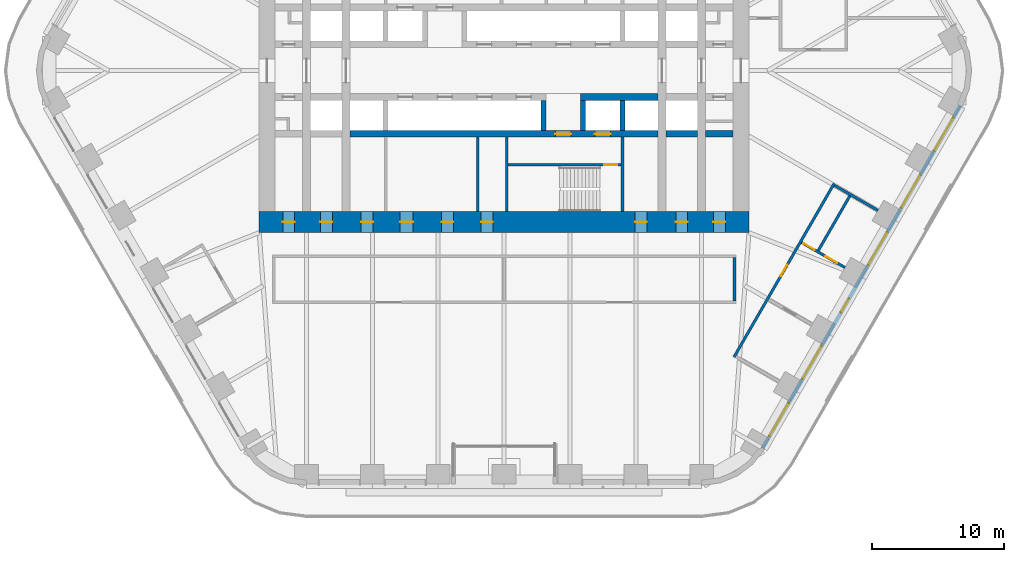
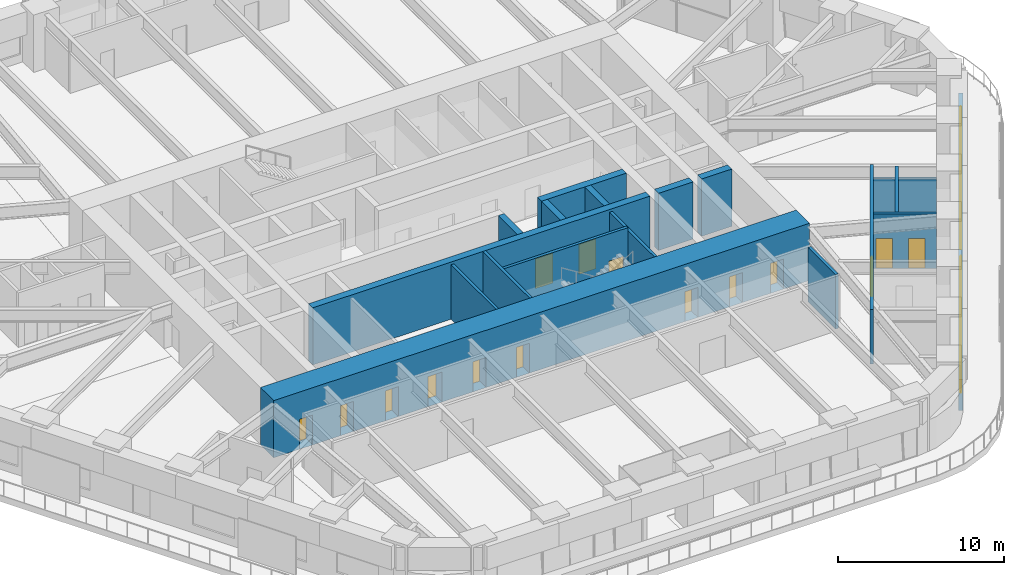
# One storey, part 18 of 24: 18 walls, 16 doors, 5 windows, 21 openings.
"""IFC4 building model written with IfcOpenShell, lengths in metres."""

from ifc_helpers import new_model, si_unit, direction, frame, frame_2d, origin, place, context, subcontext, project, spatial, rectangle, extrude, material, layer, layer_set, type_object, element, fill, save


model = new_model("IFC4")

# Units and contexts
model_context = context("Model", 3, precision=1e-05, world=origin(), true_north=direction((0.0, 1.0)))
body_context = subcontext(model_context, "Body", "Model", "MODEL_VIEW")
ifc_project = project(units=[si_unit("LENGTHUNIT", "METRE"), si_unit("AREAUNIT", "SQUARE_METRE"), si_unit("VOLUMEUNIT", "CUBIC_METRE"), si_unit("PLANEANGLEUNIT", "RADIAN"), si_unit("MASSUNIT", "GRAM", prefix="KILO")], contexts=[model_context])

# Site, building, storey
site_placement = place(None, origin())
site = spatial("IfcSite", under=ifc_project, at=site_placement, CompositionType="ELEMENT")
building_placement = place(site_placement, origin())
building = spatial("IfcBuilding", under=site, at=building_placement, Name="Tarfa Lantern Tower", CompositionType="ELEMENT")
storey_placement = place(building_placement, frame((0.0, 0.0, 127.89990234375)))
storey = spatial("IfcBuildingStorey", under=building, at=storey_placement, Name="L28", CompositionType="ELEMENT", Elevation=127.89990234375)

# Wall, openings, door, windows
ifc_material_1 = material(Name="Limestone cladding on blockwork", Category="masonry")
ifc_layer_1 = layer(ifc_material_1, 0.300048828125)
ifc_layer_set_1 = layer_set([ifc_layer_1], Name="EW1 STONE-CLAD WALL 300")
wall_type_1 = type_object("IfcWallType", Name="EW1 STONE-CLAD WALL 300", PredefinedType="SOLIDWALL", material=ifc_layer_set_1)
wall_1_placement = place(storey_placement, frame((19.644287109375, -28.675048828125, 0.0), z_axis=(0.0, 0.0, 1.0), x_axis=(0.500003084452, 0.866023622968, 0.0)))
wall_1 = element("IfcWall", 1, at=wall_1_placement, inside=storey, type_object=wall_type_1, Name="Stone wall SE", PredefinedType="SOLIDWALL", context=body_context, shape_type="SweptSolid", body=[
    extrude(rectangle(XDim=30.022216796875, YDim=0.300048828125, at=frame_2d((15.01123046875, 0.0))), origin(), (0.0, 0.0, 1.0), 2.300048828125),
])
opening_1_placement = place(wall_1_placement, frame((1.0517578125, 0.0, 0.60009765625)))
opening_1 = element("IfcOpeningElement", 2, at=opening_1_placement, cuts=wall_1, Name="Opening W8", PredefinedType="OPENING", context=body_context, shape_type="SweptSolid", body=[
    extrude(rectangle(XDim=2.89990234375, YDim=1.449951171875, at=frame_2d((1.449951171875, 0.72509765625))), frame((0.0, 0.159912109375, 0.0), z_axis=(0.0, -1.0, 0.0), x_axis=(1.0, 0.0, 0.0)), (0.0, 0.0, 1.0), 0.320068359375),
])
opening_2_placement = place(wall_1_placement, frame((6.0556640625, 0.0, 0.60009765625)))
opening_2 = element("IfcOpeningElement", 3, at=opening_2_placement, cuts=wall_1, Name="Opening W8", PredefinedType="OPENING", context=body_context, shape_type="SweptSolid", body=[
    extrude(rectangle(XDim=2.89990234375, YDim=1.449951171875, at=frame_2d((1.449951171875, 0.72509765625))), frame((0.0, 0.159912109375, 0.0), z_axis=(0.0, -1.0, 0.0), x_axis=(1.0, 0.0, 0.0)), (0.0, 0.0, 1.0), 0.320068359375),
])
opening_3_placement = place(wall_1_placement, frame((11.9091796875, 0.0, 0.0)))
opening_3 = element("IfcOpeningElement", 4, at=opening_3_placement, cuts=wall_1, Name="Opening D49", PredefinedType="OPENING", context=body_context, shape_type="SweptSolid", body=[
    extrude(rectangle(XDim=1.199951171875, YDim=2.199951171875, at=frame_2d((0.60009765625, 1.10009765625))), frame((0.0, 0.159912109375, 0.0), z_axis=(0.0, -1.0, 0.0), x_axis=(1.0, 0.0, 0.0)), (0.0, 0.0, 1.0), 0.320068359375),
])
opening_4_placement = place(wall_1_placement, frame((16.06298828125, 0.0, 0.60009765625)))
opening_4 = element("IfcOpeningElement", 5, at=opening_4_placement, cuts=wall_1, Name="Opening W8", PredefinedType="OPENING", context=body_context, shape_type="SweptSolid", body=[
    extrude(rectangle(XDim=2.89990234375, YDim=1.449951171875, at=frame_2d((1.449951171875, 0.72509765625))), frame((0.0, 0.159912109375, 0.0), z_axis=(0.0, -1.0, 0.0), x_axis=(1.0, 0.0, 0.0)), (0.0, 0.0, 1.0), 0.320068359375),
])
opening_5_placement = place(wall_1_placement, frame((21.066650390625, 0.0, 0.60009765625)))
opening_5 = element("IfcOpeningElement", 6, at=opening_5_placement, cuts=wall_1, Name="Opening W8", PredefinedType="OPENING", context=body_context, shape_type="SweptSolid", body=[
    extrude(rectangle(XDim=2.89990234375, YDim=1.449951171875, at=frame_2d((1.449951171875, 0.72509765625))), frame((0.0, 0.159912109375, 0.0), z_axis=(0.0, -1.0, 0.0), x_axis=(1.0, 0.0, 0.0)), (0.0, 0.0, 1.0), 0.320068359375),
])
opening_6_placement = place(wall_1_placement, frame((26.0703125, 0.0, 0.60009765625)))
opening_6 = element("IfcOpeningElement", 7, at=opening_6_placement, cuts=wall_1, Name="Opening W8", PredefinedType="OPENING", context=body_context, shape_type="SweptSolid", body=[
    extrude(rectangle(XDim=2.89990234375, YDim=1.449951171875, at=frame_2d((1.449951171875, 0.72509765625))), frame((0.0, 0.159912109375, 0.0), z_axis=(0.0, -1.0, 0.0), x_axis=(1.0, 0.0, 0.0)), (0.0, 0.0, 1.0), 0.320068359375),
])
ifc_material_2 = material(Name="Aluminium framed glazed door", Category="aluminium")
door_type_1 = type_object("IfcDoorType", Name="BE5 BALCONY DOOR 1200x2200", OperationType="SINGLE_SWING_RIGHT", PredefinedType="DOOR", material=ifc_material_2)
door_1_placement = place(opening_3_placement, origin())
door_1 = element("IfcDoor", 8, at=door_1_placement, inside=storey, type_object=door_type_1, Name="Balcony door SE", OperationType="SINGLE_SWING_RIGHT", OverallHeight=2.199951171875, OverallWidth=1.199951171875, PredefinedType="DOOR", context=body_context, shape_type="SweptSolid", body=[
    extrude(rectangle(XDim=1.199951171875, YDim=2.199951171875, at=frame_2d((0.60009765625, 1.10009765625))), frame((0.0, 0.02490234375, 0.0), z_axis=(0.0, -1.0, 0.0), x_axis=(1.0, 0.0, 0.0)), (0.0, 0.0, 1.0), 0.050048828125),
])
fill(opening_3, door_1)
ifc_material_3 = material(Name="Aluminium frame, double glazed", Category="aluminium")
window_type = type_object("IfcWindowType", Name="W8 FULL-HEIGHT GLAZING 2900x1450", PartitioningType="SINGLE_PANEL", PredefinedType="WINDOW", material=ifc_material_3)
window_1_placement = place(opening_1_placement, origin())
window_1 = element("IfcWindow", 9, at=window_1_placement, inside=storey, type_object=window_type, Name="Window SE 1", OverallHeight=1.449951171875, OverallWidth=2.89990234375, PartitioningType="SINGLE_PANEL", PredefinedType="WINDOW", context=body_context, shape_type="SweptSolid", body=[
    extrude(rectangle(XDim=2.89990234375, YDim=1.449951171875, at=frame_2d((1.449951171875, 0.72509765625))), frame((0.0, 0.030029296875, 0.0), z_axis=(0.0, -1.0, 0.0), x_axis=(1.0, 0.0, 0.0)), (0.0, 0.0, 1.0), 0.06005859375),
])
fill(opening_1, window_1)
window_2_placement = place(opening_2_placement, origin())
window_2 = element("IfcWindow", 10, at=window_2_placement, inside=storey, type_object=window_type, Name="Window SE 2", OverallHeight=1.449951171875, OverallWidth=2.89990234375, PartitioningType="SINGLE_PANEL", PredefinedType="WINDOW", context=body_context, shape_type="SweptSolid", body=[
    extrude(rectangle(XDim=2.89990234375, YDim=1.449951171875, at=frame_2d((1.449951171875, 0.72509765625))), frame((0.0, 0.030029296875, 0.0), z_axis=(0.0, -1.0, 0.0), x_axis=(1.0, 0.0, 0.0)), (0.0, 0.0, 1.0), 0.06005859375),
])
fill(opening_2, window_2)
window_3_placement = place(opening_4_placement, origin())
window_3 = element("IfcWindow", 11, at=window_3_placement, inside=storey, type_object=window_type, Name="Window SE 4", OverallHeight=1.449951171875, OverallWidth=2.89990234375, PartitioningType="SINGLE_PANEL", PredefinedType="WINDOW", context=body_context, shape_type="SweptSolid", body=[
    extrude(rectangle(XDim=2.89990234375, YDim=1.449951171875, at=frame_2d((1.449951171875, 0.72509765625))), frame((0.0, 0.030029296875, 0.0), z_axis=(0.0, -1.0, 0.0), x_axis=(1.0, 0.0, 0.0)), (0.0, 0.0, 1.0), 0.06005859375),
])
fill(opening_4, window_3)
window_4_placement = place(opening_5_placement, origin())
window_4 = element("IfcWindow", 12, at=window_4_placement, inside=storey, type_object=window_type, Name="Window SE 5", OverallHeight=1.449951171875, OverallWidth=2.89990234375, PartitioningType="SINGLE_PANEL", PredefinedType="WINDOW", context=body_context, shape_type="SweptSolid", body=[
    extrude(rectangle(XDim=2.89990234375, YDim=1.449951171875, at=frame_2d((1.449951171875, 0.72509765625))), frame((0.0, 0.030029296875, 0.0), z_axis=(0.0, -1.0, 0.0), x_axis=(1.0, 0.0, 0.0)), (0.0, 0.0, 1.0), 0.06005859375),
])
fill(opening_5, window_4)
window_5_placement = place(opening_6_placement, origin())
window_5 = element("IfcWindow", 13, at=window_5_placement, inside=storey, type_object=window_type, Name="Window SE 6", OverallHeight=1.449951171875, OverallWidth=2.89990234375, PartitioningType="SINGLE_PANEL", PredefinedType="WINDOW", context=body_context, shape_type="SweptSolid", body=[
    extrude(rectangle(XDim=2.89990234375, YDim=1.449951171875, at=frame_2d((1.449951171875, 0.72509765625))), frame((0.0, 0.030029296875, 0.0), z_axis=(0.0, -1.0, 0.0), x_axis=(1.0, 0.0, 0.0)), (0.0, 0.0, 1.0), 0.06005859375),
])
fill(opening_6, window_5)

# Walls
ifc_material_4 = material(Name="Concrete blockwork", Category="masonry")
ifc_layer_2 = layer(ifc_material_4, 0.199951171875)
ifc_layer_set_2 = layer_set([ifc_layer_2], Name="IW1 BLOCKWORK PARTITION 200 EI 120")
wall_type_2 = type_object("IfcWallType", Name="IW1 BLOCKWORK PARTITION 200 EI 120", PredefinedType="PARTITIONING", material=ifc_layer_set_2)
for number, where, z_axis, x_axis, name in (
    (14, (9.0, -5.050048828125, 0.0), (0.0, 0.0, 1.0), (0.0, -1.0, 0.0), "Core partition"),
    (15, (-2.0, -5.050048828125, 0.0), (0.0, 0.0, 1.0), (0.0, -1.0, 0.0), "Core partition"),
):
    element("IfcWall", number, at=place(storey_placement, frame(where, z_axis=z_axis, x_axis=x_axis)), inside=storey, type_object=wall_type_2, Name=name, PredefinedType="PARTITIONING", context=body_context, shape_type="SweptSolid", body=[
        extrude(rectangle(XDim=5.64990234375, YDim=0.199951171875, at=frame_2d((2.824951171875, 0.0))), origin(), (0.0, 0.0, 1.0), 4.0),
    ])
ifc_material_5 = material(Name="Gypsum board on steel studs", Category="steel")
ifc_layer_3 = layer(ifc_material_5, 0.2099609375)
ifc_layer_set_3 = layer_set([ifc_layer_3], Name="IW2 ACOUSTIC PARTITION 200")
wall_type_3 = type_object("IfcWallType", Name="IW2 ACOUSTIC PARTITION 200", PredefinedType="PARTITIONING", material=ifc_layer_set_3)
wall_2_placement = place(storey_placement, frame((17.5, -14.199951171875, 0.0), z_axis=(0.0, 0.0, 1.0), x_axis=(0.0, -1.0, 0.0)))
element("IfcWall", 16, at=wall_2_placement, inside=storey, type_object=wall_type_3, Name="Partition", PredefinedType="PARTITIONING", context=body_context, shape_type="SweptSolid", body=[
    extrude(rectangle(XDim=3.300048828125, YDim=0.199951171875, at=frame_2d((1.64990234375, 0.0))), origin(), (0.0, 0.0, 1.0), 4.0),
])

# Wall, opening, door
wall_3_placement = place(storey_placement, frame((17.462890625, -21.753173828125, 0.0), z_axis=(0.0, 0.0, 1.0), x_axis=(0.500010972563, 0.86601906868, 0.0)))
wall_3 = element("IfcWall", 17, at=wall_3_placement, inside=storey, type_object=wall_type_3, Name="Partition", PredefinedType="PARTITIONING", context=body_context, shape_type="SweptSolid", body=[
    extrude(rectangle(XDim=15.211181640625, YDim=0.199951171875, at=frame_2d((7.60546875, 0.0))), origin(), (0.0, 0.0, 1.0), 4.0),
])
opening_7_placement = place(wall_3_placement, frame((7.10546875, 0.0, 0.0)))
opening_7 = element("IfcOpeningElement", 18, at=opening_7_placement, cuts=wall_3, Name="Opening D38", PredefinedType="OPENING", context=body_context, shape_type="SweptSolid", body=[
    extrude(rectangle(XDim=1.0, YDim=2.199951171875, at=frame_2d((0.5, 1.10009765625))), frame((0.0, 0.10986328125, 0.0), z_axis=(0.0, -1.0, 0.0), x_axis=(1.0, 0.0, 0.0)), (0.0, 0.0, 1.0), 0.219970703125),
])
ifc_material_6 = material(Name="Timber door", Category="wood")
door_type_2 = type_object("IfcDoorType", Name="DR1 ROOM DOOR 1000x2200", OperationType="SINGLE_SWING_LEFT", PredefinedType="DOOR", material=ifc_material_6)
door_2_placement = place(opening_7_placement, frame((1.0, 0.0, 0.0), z_axis=(0.0, 0.0, 1.0), x_axis=(-1.0, 0.0, 0.0)))
door_2 = element("IfcDoor", 19, at=door_2_placement, inside=storey, type_object=door_type_2, Name="Finance reception door", OperationType="SINGLE_SWING_LEFT", OverallHeight=2.199951171875, OverallWidth=1.0, PredefinedType="DOOR", context=body_context, shape_type="SweptSolid", body=[
    extrude(rectangle(XDim=1.0, YDim=2.199951171875, at=frame_2d((0.5, 1.10009765625))), frame((0.0, 0.02490234375, 0.0), z_axis=(0.0, -1.0, 0.0), x_axis=(1.0, 0.0, 0.0)), (0.0, 0.0, 1.0), 0.050048828125),
])
fill(opening_7, door_2)

# Wall, openings, doors
wall_4_placement = place(storey_placement, frame((22.603271484375, -13.050048828125, 0.0), z_axis=(0.0, 0.0, 1.0), x_axis=(0.866028304915, -0.499994975061, 0.0)))
wall_4 = element("IfcWall", 20, at=wall_4_placement, inside=storey, type_object=wall_type_3, Name="Partition", PredefinedType="PARTITIONING", context=body_context, shape_type="SweptSolid", body=[
    extrude(rectangle(XDim=3.7998046875, YDim=0.199951171875, at=frame_2d((1.89990234375, 0.0))), origin(), (0.0, 0.0, 1.0), 4.0),
])
opening_8_placement = place(wall_4_placement, frame((0.14990234375, 0.0, 0.0)))
opening_8 = element("IfcOpeningElement", 21, at=opening_8_placement, cuts=wall_4, Name="Opening D39", PredefinedType="OPENING", context=body_context, shape_type="SweptSolid", body=[
    extrude(rectangle(XDim=1.0, YDim=2.199951171875, at=frame_2d((0.5, 1.10009765625))), frame((0.0, 0.10986328125, 0.0), z_axis=(0.0, -1.0, 0.0), x_axis=(1.0, 0.0, 0.0)), (0.0, 0.0, 1.0), 0.219970703125),
])
opening_9_placement = place(wall_4_placement, frame((2.10009765625, 0.0, 0.0)))
opening_9 = element("IfcOpeningElement", 22, at=opening_9_placement, cuts=wall_4, Name="Opening D40", PredefinedType="OPENING", context=body_context, shape_type="SweptSolid", body=[
    extrude(rectangle(XDim=1.0, YDim=2.199951171875, at=frame_2d((0.5, 1.10009765625))), frame((0.0, 0.10986328125, 0.0), z_axis=(0.0, -1.0, 0.0), x_axis=(1.0, 0.0, 0.0)), (0.0, 0.0, 1.0), 0.219970703125),
])
door_3_placement = place(opening_8_placement, origin())
door_3 = element("IfcDoor", 23, at=door_3_placement, inside=storey, type_object=door_type_2, Name="Finance meeting room door", OperationType="SINGLE_SWING_RIGHT", OverallHeight=2.199951171875, OverallWidth=1.0, PredefinedType="DOOR", context=body_context, shape_type="SweptSolid", body=[
    extrude(rectangle(XDim=1.0, YDim=2.199951171875, at=frame_2d((0.5, 1.10009765625))), frame((0.0, 0.02490234375, 0.0), z_axis=(0.0, -1.0, 0.0), x_axis=(1.0, 0.0, 0.0)), (0.0, 0.0, 1.0), 0.050048828125),
])
fill(opening_8, door_3)
door_4_placement = place(opening_9_placement, origin())
door_4 = element("IfcDoor", 24, at=door_4_placement, inside=storey, type_object=door_type_2, Name="Finance office door", OperationType="SINGLE_SWING_RIGHT", OverallHeight=2.199951171875, OverallWidth=1.0, PredefinedType="DOOR", context=body_context, shape_type="SweptSolid", body=[
    extrude(rectangle(XDim=1.0, YDim=2.199951171875, at=frame_2d((0.5, 1.10009765625))), frame((0.0, 0.02490234375, 0.0), z_axis=(0.0, -1.0, 0.0), x_axis=(1.0, 0.0, 0.0)), (0.0, 0.0, 1.0), 0.050048828125),
])
fill(opening_9, door_4)

# Walls
wall_5_placement = place(storey_placement, frame((25.105224609375, -8.716552734375, 0.0), z_axis=(0.0, 0.0, 1.0), x_axis=(0.866000483506, -0.500043160704, 0.0)))
element("IfcWall", 25, at=wall_5_placement, inside=storey, type_object=wall_type_3, Name="Partition", PredefinedType="PARTITIONING", context=body_context, shape_type="SweptSolid", body=[
    extrude(rectangle(XDim=3.800048828125, YDim=0.199951171875, at=frame_2d((1.89990234375, 0.0))), origin(), (0.0, 0.0, 1.0), 3.081787109375),
])
wall_6_placement = place(storey_placement, frame((23.86572265625, -13.663330078125, 0.0), z_axis=(0.0, 0.0, 1.0), x_axis=(0.499998147991, 0.86602647304, 0.0)))
element("IfcWall", 26, at=wall_6_placement, inside=storey, type_object=wall_type_3, Name="Partition", PredefinedType="PARTITIONING", context=body_context, shape_type="SweptSolid", body=[
    extrude(rectangle(XDim=4.8037109375, YDim=0.199951171875, at=frame_2d((2.40185546875, 0.0))), origin(), (0.0, 0.0, 1.0), 4.0),
])
ifc_material_7 = material(Name="Concrete C80/95", Category="concrete")
ifc_layer_4 = layer(ifc_material_7, 0.199951171875)
ifc_layer_set_4 = layer_set([ifc_layer_4], Name="SW12 CORE WALL 200")
wall_type_4 = type_object("IfcWallType", Name="SW12 CORE WALL 200", PredefinedType="SHEAR", material=ifc_layer_set_4)
wall_7_placement = place(storey_placement, frame((0.199951171875, -5.050048828125, 0.0), z_axis=(0.0, 0.0, 1.0), x_axis=(0.0, -1.0, 0.0)))
element("IfcWall", 27, at=wall_7_placement, inside=storey, type_object=wall_type_4, Name="Core wall stair shaft S", PredefinedType="SHEAR", context=body_context, shape_type="SweptSolid", body=[
    extrude(rectangle(XDim=5.64990234375, YDim=0.199951171875, at=frame_2d((2.824951171875, 0.0))), origin(), (0.0, 0.0, 1.0), 4.2001953125),
])

# Wall, opening, door
wall_8_placement = place(storey_placement, frame((8.89990234375, -7.14990234375, 0.0), z_axis=(0.0, 0.0, 1.0), x_axis=(-1.0, 0.0, 0.0)))
wall_8 = element("IfcWall", 28, at=wall_8_placement, inside=storey, type_object=wall_type_4, Name="Core wall stair partition S", PredefinedType="SHEAR", context=body_context, shape_type="SweptSolid", body=[
    extrude(rectangle(XDim=8.599853515625, YDim=0.199951171875, at=frame_2d((4.2998046875, 0.0))), origin(), (0.0, 0.0, 1.0), 4.2001953125),
])
opening_10_placement = place(wall_8_placement, frame((0.300048828125, 0.0, 0.0)))
opening_10 = element("IfcOpeningElement", 29, at=opening_10_placement, cuts=wall_8, Name="Opening D28", PredefinedType="OPENING", context=body_context, shape_type="SweptSolid", body=[
    extrude(rectangle(XDim=1.0, YDim=2.199951171875, at=frame_2d((0.5, 1.10009765625))), frame((0.0, 0.10986328125, 0.0), z_axis=(0.0, -1.0, 0.0), x_axis=(1.0, 0.0, 0.0)), (0.0, 0.0, 1.0), 0.219970703125),
])
ifc_material_8 = material(Name="Steel fire door", Category="steel")
door_type_3 = type_object("IfcDoorType", Name="DF2 STAIR DOOR 1000x2200", OperationType="SINGLE_SWING_LEFT", PredefinedType="DOOR", material=ifc_material_8)
door_5_placement = place(opening_10_placement, origin())
door_5 = element("IfcDoor", 30, at=door_5_placement, inside=storey, type_object=door_type_3, Name="Stair door", OperationType="SINGLE_SWING_RIGHT", OverallHeight=2.199951171875, OverallWidth=1.0, PredefinedType="DOOR", context=body_context, shape_type="SweptSolid", body=[
    extrude(rectangle(XDim=1.0, YDim=2.199951171875, at=frame_2d((0.5, 1.10009765625))), frame((0.0, 0.02490234375, 0.0), z_axis=(0.0, -1.0, 0.0), x_axis=(1.0, 0.0, 0.0)), (0.0, 0.0, 1.0), 0.050048828125),
])
fill(opening_10, door_5)

# Walls
ifc_layer_5 = layer(ifc_material_7, 0.5)
ifc_layer_set_5 = layer_set([ifc_layer_5], Name="SW5 CORE WALL 500")
wall_type_5 = type_object("IfcWallType", Name="SW5 CORE WALL 500", PredefinedType="SHEAR", material=ifc_layer_set_5)
wall_9_placement = place(storey_placement, frame((11.699951171875, -2.0, 0.0), z_axis=(0.0, 0.0, 1.0), x_axis=(-1.0, 0.0, 0.0)))
element("IfcWall", 31, at=wall_9_placement, inside=storey, type_object=wall_type_5, Name="Core wall lobby west S", PredefinedType="SHEAR", context=body_context, shape_type="SweptSolid", body=[
    extrude(rectangle(XDim=5.89990234375, YDim=0.5, at=frame_2d((2.949951171875, 0.0))), origin(), (0.0, 0.0, 1.0), 4.2001953125),
])
wall_10_placement = place(storey_placement, frame((17.39990234375, -4.800048828125, 0.0), z_axis=(0.0, 0.0, 1.0), x_axis=(-1.0, 0.0, 0.0)))
element("IfcWall", 32, at=wall_10_placement, inside=storey, type_object=wall_type_5, Name="Core wall rear S", PredefinedType="SHEAR", context=body_context, shape_type="SweptSolid", body=[
    extrude(rectangle(XDim=2.099853515625, YDim=0.5, at=frame_2d((1.0498046875, 0.0))), origin(), (0.0, 0.0, 1.0), 4.2001953125),
])
wall_11_placement = place(storey_placement, frame((14.699951171875, -4.800048828125, 0.0), z_axis=(0.0, 0.0, 1.0), x_axis=(-1.0, 0.0, 0.0)))
element("IfcWall", 33, at=wall_11_placement, inside=storey, type_object=wall_type_5, Name="Core wall rear S", PredefinedType="SHEAR", context=body_context, shape_type="SweptSolid", body=[
    extrude(rectangle(XDim=2.39990234375, YDim=0.5, at=frame_2d((1.199951171875, 0.0))), origin(), (0.0, 0.0, 1.0), 4.2001953125),
])

# Wall, openings, doors
wall_12_placement = place(storey_placement, frame((11.699951171875, -4.800048828125, 0.0), z_axis=(0.0, 0.0, 1.0), x_axis=(-1.0, 0.0, 0.0)))
wall_12 = element("IfcWall", 34, at=wall_12_placement, inside=storey, type_object=wall_type_5, Name="Core wall rear S", PredefinedType="SHEAR", context=body_context, shape_type="SweptSolid", body=[
    extrude(rectangle(XDim=23.39990234375, YDim=0.5, at=frame_2d((11.699951171875, 0.0))), origin(), (0.0, 0.0, 1.0), 4.2001953125),
])
opening_11_placement = place(wall_12_placement, frame((6.60009765625, 0.0, 0.0)))
opening_11 = element("IfcOpeningElement", 35, at=opening_11_placement, cuts=wall_12, Name="Opening D14", PredefinedType="OPENING", context=body_context, shape_type="SweptSolid", body=[
    extrude(rectangle(XDim=1.199951171875, YDim=2.199951171875, at=frame_2d((0.60009765625, 1.10009765625))), frame((0.0, 0.260009765625, 0.0), z_axis=(0.0, -1.0, 0.0), x_axis=(1.0, 0.0, 0.0)), (0.0, 0.0, 1.0), 0.52001953125),
])
opening_12_placement = place(wall_12_placement, frame((3.60009765625, 0.0, 0.0)))
opening_12 = element("IfcOpeningElement", 36, at=opening_12_placement, cuts=wall_12, Name="Opening LD02", PredefinedType="OPENING", context=body_context, shape_type="SweptSolid", body=[
    extrude(rectangle(XDim=1.199951171875, YDim=2.199951171875, at=frame_2d((0.60009765625, 1.10009765625))), frame((0.0, 0.260009765625, 0.0), z_axis=(0.0, -1.0, 0.0), x_axis=(1.0, 0.0, 0.0)), (0.0, 0.0, 1.0), 0.52001953125),
])
door_type_4 = type_object("IfcDoorType", Name="DF1 FIREFIGHTING LOBBY DOOR 1200x2200", OperationType="SINGLE_SWING_LEFT", PredefinedType="DOOR", material=ifc_material_8)
door_6_placement = place(opening_11_placement, origin())
door_6 = element("IfcDoor", 37, at=door_6_placement, inside=storey, type_object=door_type_4, Name="Firefighting lobby door", OperationType="SINGLE_SWING_LEFT", OverallHeight=2.199951171875, OverallWidth=1.199951171875, PredefinedType="DOOR", context=body_context, shape_type="SweptSolid", body=[
    extrude(rectangle(XDim=1.199951171875, YDim=2.199951171875, at=frame_2d((0.60009765625, 1.10009765625))), frame((0.0, 0.02490234375, 0.0), z_axis=(0.0, -1.0, 0.0), x_axis=(1.0, 0.0, 0.0)), (0.0, 0.0, 1.0), 0.050048828125),
])
fill(opening_11, door_6)
ifc_material_9 = material(Name="Stainless steel lift door", Category="steel")
door_type_5 = type_object("IfcDoorType", Name="LD1 LIFT LANDING DOOR 1200x2200", OperationType="SLIDING_TO_LEFT", PredefinedType="DOOR", material=ifc_material_9)
door_7_placement = place(opening_12_placement, origin())
door_7 = element("IfcDoor", 38, at=door_7_placement, inside=storey, type_object=door_type_5, Name="Landing door FL2", OperationType="SLIDING_TO_LEFT", OverallHeight=2.199951171875, OverallWidth=1.199951171875, PredefinedType="DOOR", context=body_context, shape_type="SweptSolid", body=[
    extrude(rectangle(XDim=1.199951171875, YDim=2.199951171875, at=frame_2d((0.60009765625, 1.10009765625))), frame((0.0, 0.02490234375, 0.0), z_axis=(0.0, -1.0, 0.0), x_axis=(1.0, 0.0, 0.0)), (0.0, 0.0, 1.0), 0.050048828125),
])
fill(opening_12, door_7)

# Walls
ifc_layer_6 = layer(ifc_material_7, 0.39990234375)
ifc_layer_set_6 = layer_set([ifc_layer_6], Name="SW6 CORE WALL 400")
wall_type_6 = type_object("IfcWallType", Name="SW6 CORE WALL 400", PredefinedType="SHEAR", material=ifc_layer_set_6)
for number, where, z_axis, x_axis, name in (
    (39, (9.0, -2.25, 0.0), (0.0, 0.0, 1.0), (0.0, -1.0, 0.0), "Core wall divider S"),
    (40, (6.0, -2.25, 0.0), (0.0, 0.0, 1.0), (0.0, -1.0, 0.0), "Core wall divider S"),
    (41, (3.0, -2.25, 0.0), (0.0, 0.0, 1.0), (0.0, -1.0, 0.0), "Core wall divider S"),
):
    element("IfcWall", number, at=place(storey_placement, frame(where, z_axis=z_axis, x_axis=x_axis)), inside=storey, type_object=wall_type_6, Name=name, PredefinedType="SHEAR", context=body_context, shape_type="SweptSolid", body=[
        extrude(rectangle(XDim=2.300048828125, YDim=0.39990234375, at=frame_2d((1.14990234375, 0.0))), origin(), (0.0, 0.0, 1.0), 4.2001953125),
    ])

# Wall, openings, doors
ifc_layer_7 = layer(ifc_material_7, 1.60009765625)
ifc_layer_set_7 = layer_set([ifc_layer_7], Name="SW7 CORE WALL 1600")
wall_type_7 = type_object("IfcWallType", Name="SW7 CORE WALL 1600", PredefinedType="SHEAR", material=ifc_layer_set_7)
wall_13_placement = place(storey_placement, frame((18.60009765625, -11.5, 0.0), z_axis=(0.0, 0.0, 1.0), x_axis=(-1.0, 0.0, 0.0)))
wall_13 = element("IfcWall", 42, at=wall_13_placement, inside=storey, type_object=wall_type_7, Name="Core wall S", PredefinedType="SHEAR", context=body_context, shape_type="SweptSolid", body=[
    extrude(rectangle(XDim=37.2001953125, YDim=1.60009765625, at=frame_2d((18.60009765625, 0.0))), origin(), (0.0, 0.0, 1.0), 4.2001953125),
])
opening_13_placement = place(wall_13_placement, frame((19.449951171875, 0.0, 0.0)))
opening_13 = element("IfcOpeningElement", 43, at=opening_13_placement, cuts=wall_13, Name="Opening D22", PredefinedType="OPENING", context=body_context, shape_type="SweptSolid", body=[
    extrude(rectangle(XDim=0.89990234375, YDim=2.199951171875, at=frame_2d((0.449951171875, 1.10009765625))), frame((0.0, 0.81005859375, 0.0), z_axis=(0.0, -1.0, 0.0), x_axis=(1.0, 0.0, 0.0)), (0.0, 0.0, 1.0), 1.6201171875),
])
opening_14_placement = place(wall_13_placement, frame((22.449951171875, 0.0, 0.0)))
opening_14 = element("IfcOpeningElement", 44, at=opening_14_placement, cuts=wall_13, Name="Opening D24", PredefinedType="OPENING", context=body_context, shape_type="SweptSolid", body=[
    extrude(rectangle(XDim=0.89990234375, YDim=2.199951171875, at=frame_2d((0.449951171875, 1.10009765625))), frame((0.0, 0.81005859375, 0.0), z_axis=(0.0, -1.0, 0.0), x_axis=(1.0, 0.0, 0.0)), (0.0, 0.0, 1.0), 1.6201171875),
])
opening_15_placement = place(wall_13_placement, frame((25.5, 0.0, 0.0)))
opening_15 = element("IfcOpeningElement", 45, at=opening_15_placement, cuts=wall_13, Name="Opening D26", PredefinedType="OPENING", context=body_context, shape_type="SweptSolid", body=[
    extrude(rectangle(XDim=1.0, YDim=2.199951171875, at=frame_2d((0.5, 1.10009765625))), frame((0.0, 0.81005859375, 0.0), z_axis=(0.0, -1.0, 0.0), x_axis=(1.0, 0.0, 0.0)), (0.0, 0.0, 1.0), 1.6201171875),
])
opening_16_placement = place(wall_13_placement, frame((1.800048828125, 0.0, 0.0)))
opening_16 = element("IfcOpeningElement", 46, at=opening_16_placement, cuts=wall_13, Name="Opening D12", PredefinedType="OPENING", context=body_context, shape_type="SweptSolid", body=[
    extrude(rectangle(XDim=0.89990234375, YDim=2.199951171875, at=frame_2d((0.449951171875, 1.10009765625))), frame((0.0, 0.81005859375, 0.0), z_axis=(0.0, -1.0, 0.0), x_axis=(1.0, 0.0, 0.0)), (0.0, 0.0, 1.0), 1.6201171875),
])
opening_17_placement = place(wall_13_placement, frame((4.64990234375, 0.0, 0.0)))
opening_17 = element("IfcOpeningElement", 47, at=opening_17_placement, cuts=wall_13, Name="Opening D08", PredefinedType="OPENING", context=body_context, shape_type="SweptSolid", body=[
    extrude(rectangle(XDim=0.89990234375, YDim=2.199951171875, at=frame_2d((0.449951171875, 1.10009765625))), frame((0.0, 0.81005859375, 0.0), z_axis=(0.0, -1.0, 0.0), x_axis=(1.0, 0.0, 0.0)), (0.0, 0.0, 1.0), 1.6201171875),
])
opening_18_placement = place(wall_13_placement, frame((7.75, 0.0, 0.0)))
opening_18 = element("IfcOpeningElement", 48, at=opening_18_placement, cuts=wall_13, Name="Opening D10", PredefinedType="OPENING", context=body_context, shape_type="SweptSolid", body=[
    extrude(rectangle(XDim=0.89990234375, YDim=2.199951171875, at=frame_2d((0.449951171875, 1.10009765625))), frame((0.0, 0.81005859375, 0.0), z_axis=(0.0, -1.0, 0.0), x_axis=(1.0, 0.0, 0.0)), (0.0, 0.0, 1.0), 1.6201171875),
])
opening_19_placement = place(wall_13_placement, frame((28.550048828125, 0.0, 0.0)))
opening_19 = element("IfcOpeningElement", 49, at=opening_19_placement, cuts=wall_13, Name="Opening D06", PredefinedType="OPENING", context=body_context, shape_type="SweptSolid", body=[
    extrude(rectangle(XDim=0.89990234375, YDim=2.199951171875, at=frame_2d((0.449951171875, 1.10009765625))), frame((0.0, 0.81005859375, 0.0), z_axis=(0.0, -1.0, 0.0), x_axis=(1.0, 0.0, 0.0)), (0.0, 0.0, 1.0), 1.6201171875),
])
opening_20_placement = place(wall_13_placement, frame((31.64990234375, 0.0, 0.0)))
opening_20 = element("IfcOpeningElement", 50, at=opening_20_placement, cuts=wall_13, Name="Opening D02", PredefinedType="OPENING", context=body_context, shape_type="SweptSolid", body=[
    extrude(rectangle(XDim=0.89990234375, YDim=2.199951171875, at=frame_2d((0.449951171875, 1.10009765625))), frame((0.0, 0.81005859375, 0.0), z_axis=(0.0, -1.0, 0.0), x_axis=(1.0, 0.0, 0.0)), (0.0, 0.0, 1.0), 1.6201171875),
])
opening_21_placement = place(wall_13_placement, frame((34.5, 0.0, 0.0)))
opening_21 = element("IfcOpeningElement", 51, at=opening_21_placement, cuts=wall_13, Name="Opening D04", PredefinedType="OPENING", context=body_context, shape_type="SweptSolid", body=[
    extrude(rectangle(XDim=0.89990234375, YDim=2.199951171875, at=frame_2d((0.449951171875, 1.10009765625))), frame((0.0, 0.81005859375, 0.0), z_axis=(0.0, -1.0, 0.0), x_axis=(1.0, 0.0, 0.0)), (0.0, 0.0, 1.0), 1.6201171875),
])
door_type_6 = type_object("IfcDoorType", Name="DF3 CORE ROOM DOOR 900x2200", OperationType="SINGLE_SWING_LEFT", PredefinedType="DOOR", material=ifc_material_8)
door_8_placement = place(opening_13_placement, frame((0.89990234375, 0.0, 0.0), z_axis=(0.0, 0.0, 1.0), x_axis=(-1.0, 0.0, 0.0)))
door_8 = element("IfcDoor", 52, at=door_8_placement, inside=storey, type_object=door_type_6, Name="Core door", OperationType="SINGLE_SWING_RIGHT", OverallHeight=2.199951171875, OverallWidth=0.89990234375, PredefinedType="DOOR", context=body_context, shape_type="SweptSolid", body=[
    extrude(rectangle(XDim=0.89990234375, YDim=2.199951171875, at=frame_2d((0.449951171875, 1.10009765625))), frame((0.0, 0.02490234375, 0.0), z_axis=(0.0, -1.0, 0.0), x_axis=(1.0, 0.0, 0.0)), (0.0, 0.0, 1.0), 0.050048828125),
])
fill(opening_13, door_8)
door_9_placement = place(opening_14_placement, frame((0.89990234375, 0.0, 0.0), z_axis=(0.0, 0.0, 1.0), x_axis=(-1.0, 0.0, 0.0)))
door_9 = element("IfcDoor", 53, at=door_9_placement, inside=storey, type_object=door_type_6, Name="Core door", OperationType="SINGLE_SWING_LEFT", OverallHeight=2.199951171875, OverallWidth=0.89990234375, PredefinedType="DOOR", context=body_context, shape_type="SweptSolid", body=[
    extrude(rectangle(XDim=0.89990234375, YDim=2.199951171875, at=frame_2d((0.449951171875, 1.10009765625))), frame((0.0, 0.02490234375, 0.0), z_axis=(0.0, -1.0, 0.0), x_axis=(1.0, 0.0, 0.0)), (0.0, 0.0, 1.0), 0.050048828125),
])
fill(opening_14, door_9)
door_type_7 = type_object("IfcDoorType", Name="DF4 CORE ROOM DOOR 1000x2200", OperationType="SINGLE_SWING_LEFT", PredefinedType="DOOR", material=ifc_material_8)
door_10_placement = place(opening_15_placement, frame((1.0, 0.0, 0.0), z_axis=(0.0, 0.0, 1.0), x_axis=(-1.0, 0.0, 0.0)))
door_10 = element("IfcDoor", 54, at=door_10_placement, inside=storey, type_object=door_type_7, Name="Core door", OperationType="SINGLE_SWING_RIGHT", OverallHeight=2.199951171875, OverallWidth=1.0, PredefinedType="DOOR", context=body_context, shape_type="SweptSolid", body=[
    extrude(rectangle(XDim=1.0, YDim=2.199951171875, at=frame_2d((0.5, 1.10009765625))), frame((0.0, 0.02490234375, 0.0), z_axis=(0.0, -1.0, 0.0), x_axis=(1.0, 0.0, 0.0)), (0.0, 0.0, 1.0), 0.050048828125),
])
fill(opening_15, door_10)
door_type_8 = type_object("IfcDoorType", Name="DF5 RISER DOOR 900x2200", OperationType="SINGLE_SWING_LEFT", PredefinedType="DOOR", material=ifc_material_8)
door_11_placement = place(opening_16_placement, frame((0.89990234375, 0.0, 0.0), z_axis=(0.0, 0.0, 1.0), x_axis=(-1.0, 0.0, 0.0)))
door_11 = element("IfcDoor", 55, at=door_11_placement, inside=storey, type_object=door_type_8, Name="Riser door", OperationType="SINGLE_SWING_LEFT", OverallHeight=2.199951171875, OverallWidth=0.89990234375, PredefinedType="DOOR", context=body_context, shape_type="SweptSolid", body=[
    extrude(rectangle(XDim=0.89990234375, YDim=2.199951171875, at=frame_2d((0.449951171875, 1.10009765625))), frame((0.0, 0.02490234375, 0.0), z_axis=(0.0, -1.0, 0.0), x_axis=(1.0, 0.0, 0.0)), (0.0, 0.0, 1.0), 0.050048828125),
])
fill(opening_16, door_11)
door_12_placement = place(opening_17_placement, frame((0.89990234375, 0.0, 0.0), z_axis=(0.0, 0.0, 1.0), x_axis=(-1.0, 0.0, 0.0)))
door_12 = element("IfcDoor", 56, at=door_12_placement, inside=storey, type_object=door_type_8, Name="Riser door", OperationType="SINGLE_SWING_LEFT", OverallHeight=2.199951171875, OverallWidth=0.89990234375, PredefinedType="DOOR", context=body_context, shape_type="SweptSolid", body=[
    extrude(rectangle(XDim=0.89990234375, YDim=2.199951171875, at=frame_2d((0.449951171875, 1.10009765625))), frame((0.0, 0.02490234375, 0.0), z_axis=(0.0, -1.0, 0.0), x_axis=(1.0, 0.0, 0.0)), (0.0, 0.0, 1.0), 0.050048828125),
])
fill(opening_17, door_12)
door_13_placement = place(opening_18_placement, frame((0.89990234375, 0.0, 0.0), z_axis=(0.0, 0.0, 1.0), x_axis=(-1.0, 0.0, 0.0)))
door_13 = element("IfcDoor", 57, at=door_13_placement, inside=storey, type_object=door_type_8, Name="Riser door", OperationType="SINGLE_SWING_LEFT", OverallHeight=2.199951171875, OverallWidth=0.89990234375, PredefinedType="DOOR", context=body_context, shape_type="SweptSolid", body=[
    extrude(rectangle(XDim=0.89990234375, YDim=2.199951171875, at=frame_2d((0.449951171875, 1.10009765625))), frame((0.0, 0.02490234375, 0.0), z_axis=(0.0, -1.0, 0.0), x_axis=(1.0, 0.0, 0.0)), (0.0, 0.0, 1.0), 0.050048828125),
])
fill(opening_18, door_13)
door_14_placement = place(opening_19_placement, frame((0.89990234375, 0.0, 0.0), z_axis=(0.0, 0.0, 1.0), x_axis=(-1.0, 0.0, 0.0)))
door_14 = element("IfcDoor", 58, at=door_14_placement, inside=storey, type_object=door_type_8, Name="Riser door", OperationType="SINGLE_SWING_RIGHT", OverallHeight=2.199951171875, OverallWidth=0.89990234375, PredefinedType="DOOR", context=body_context, shape_type="SweptSolid", body=[
    extrude(rectangle(XDim=0.89990234375, YDim=2.199951171875, at=frame_2d((0.449951171875, 1.10009765625))), frame((0.0, 0.02490234375, 0.0), z_axis=(0.0, -1.0, 0.0), x_axis=(1.0, 0.0, 0.0)), (0.0, 0.0, 1.0), 0.050048828125),
])
fill(opening_19, door_14)
door_15_placement = place(opening_20_placement, frame((0.89990234375, 0.0, 0.0), z_axis=(0.0, 0.0, 1.0), x_axis=(-1.0, 0.0, 0.0)))
door_15 = element("IfcDoor", 59, at=door_15_placement, inside=storey, type_object=door_type_8, Name="Riser door", OperationType="SINGLE_SWING_RIGHT", OverallHeight=2.199951171875, OverallWidth=0.89990234375, PredefinedType="DOOR", context=body_context, shape_type="SweptSolid", body=[
    extrude(rectangle(XDim=0.89990234375, YDim=2.199951171875, at=frame_2d((0.449951171875, 1.10009765625))), frame((0.0, 0.02490234375, 0.0), z_axis=(0.0, -1.0, 0.0), x_axis=(1.0, 0.0, 0.0)), (0.0, 0.0, 1.0), 0.050048828125),
])
fill(opening_20, door_15)
door_16_placement = place(opening_21_placement, frame((0.89990234375, 0.0, 0.0), z_axis=(0.0, 0.0, 1.0), x_axis=(-1.0, 0.0, 0.0)))
door_16 = element("IfcDoor", 60, at=door_16_placement, inside=storey, type_object=door_type_8, Name="Riser door", OperationType="SINGLE_SWING_RIGHT", OverallHeight=2.199951171875, OverallWidth=0.89990234375, PredefinedType="DOOR", context=body_context, shape_type="SweptSolid", body=[
    extrude(rectangle(XDim=0.89990234375, YDim=2.199951171875, at=frame_2d((0.449951171875, 1.10009765625))), frame((0.0, 0.02490234375, 0.0), z_axis=(0.0, -1.0, 0.0), x_axis=(1.0, 0.0, 0.0)), (0.0, 0.0, 1.0), 0.050048828125),
])
fill(opening_21, door_16)

save(model, "model.ifc")
